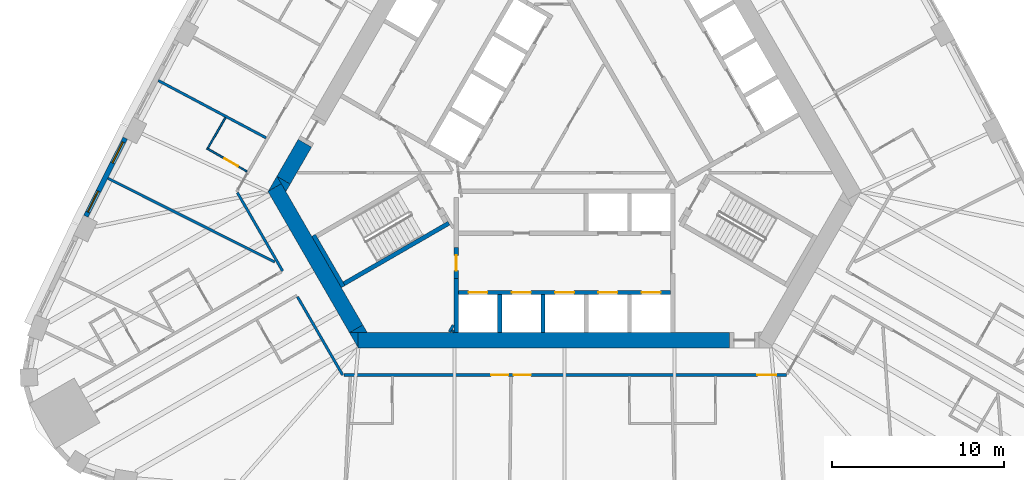
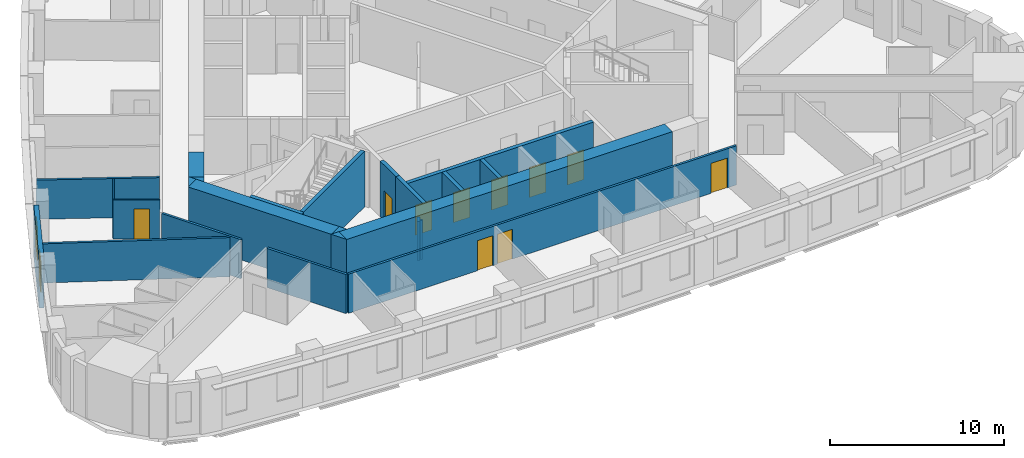
# One storey, part 4 of 12: 24 walls, 10 doors, 2 windows, 12 openings.
"""IFC4 building model written with IfcOpenShell, lengths in metres."""

from ifc_helpers import new_model, si_unit, direction, frame, frame_2d, origin, place, context, subcontext, project, spatial, polyline, rectangle, outline, extrude, material, layer, layer_set, type_object, element, fill, save


model = new_model("IFC4")

# Units and contexts
model_context = context("Model", 3, precision=1e-05, world=origin(), true_north=direction((0.0, 1.0)))
body_context = subcontext(model_context, "Body", "Model", "MODEL_VIEW")
ifc_project = project(units=[si_unit("LENGTHUNIT", "METRE"), si_unit("AREAUNIT", "SQUARE_METRE"), si_unit("VOLUMEUNIT", "CUBIC_METRE"), si_unit("PLANEANGLEUNIT", "RADIAN"), si_unit("MASSUNIT", "GRAM", prefix="KILO")], contexts=[model_context])

# Site, building, storey
site_placement = place(None, origin())
site = spatial("IfcSite", under=ifc_project, at=site_placement, CompositionType="ELEMENT")
building_placement = place(site_placement, origin())
building = spatial("IfcBuilding", under=site, at=building_placement, Name="Mestral Congress Tower", CompositionType="ELEMENT")
storey_placement = place(building_placement, frame((0.0, 0.0, 126.60009765625)))
storey = spatial("IfcBuildingStorey", under=building, at=storey_placement, Name="L30", CompositionType="ELEMENT", Elevation=126.60009765625)

# Walls
ifc_material_1 = material(Name="Fire-rated board partition")
ifc_layer_1 = layer(ifc_material_1, 0.14990234375)
ifc_layer_set_1 = layer_set([ifc_layer_1], Name="Fire-rated board partition")
wall_type_1 = type_object("IfcWallType", Name="Core partition 150", PredefinedType="PARTITIONING", material=ifc_layer_set_1)
wall_1_placement = place(storey_placement, frame((-6.707763671875, -12.068115234375, 0.0), z_axis=(0.0, 0.0, 1.0), x_axis=(0.500000789788, 0.8660249478, 0.0)))
element("IfcWall", 1, at=wall_1_placement, inside=storey, type_object=wall_type_1, Name="L30 core wall", PredefinedType="PARTITIONING", context=body_context, shape_type="SweptSolid", body=[
    extrude(rectangle(XDim=0.45556640625, YDim=0.14990234375, at=frame_2d((0.227783203125, 0.0))), origin(), (0.0, 0.0, 1.0), 2.75),
])
wall_2_placement = place(storey_placement, frame((-6.534423828125, -12.068115234375, 0.0), z_axis=(0.0, 0.0, 1.0), x_axis=(0.500240224089, 0.865886665912, 0.0)))
element("IfcWall", 2, at=wall_2_placement, inside=storey, type_object=wall_type_1, Name="L30 core wall", PredefinedType="PARTITIONING", context=body_context, shape_type="SweptSolid", body=[
    extrude(rectangle(XDim=0.10888671875, YDim=0.14990234375, at=frame_2d((0.054443359375, 0.0))), origin(), (0.0, 0.0, 1.0), 2.75),
])
ifc_material_2 = material(Name="Concrete C60/75", Category="concrete")
ifc_layer_2 = layer(ifc_material_2, 0.89990234375)
ifc_layer_set_2 = layer_set([ifc_layer_2], Name="Concrete C60/75")
wall_type_2 = type_object("IfcWallType", Name="Core wall RC 900", PredefinedType="SOLIDWALL", material=ifc_layer_set_2)
wall_3_placement = place(storey_placement, frame((-12.0185546875, -12.550048828125, 0.0), z_axis=(0.0, 0.0, 1.0), x_axis=(1.0, 0.0, 0.0)))
element("IfcWall", 3, at=wall_3_placement, inside=storey, type_object=wall_type_2, Name="L30 core wall", PredefinedType="SOLIDWALL", context=body_context, shape_type="SweptSolid", body=[
    extrude(rectangle(XDim=21.63037109375, YDim=0.89990234375, at=frame_2d((10.815185546875, 0.0))), origin(), (0.0, 0.0, 1.0), 3.89990234375),
])
placement = place(storey_placement, origin())
element("IfcWall", 4, at=placement, inside=storey, type_object=wall_type_2, Name="L30 core wall", PredefinedType="SOLIDWALL", context=body_context, shape_type="SweptSolid", body=[
    extrude(outline(polyline([(-12.528564453125, -12.10009765625), (-12.0205078125, -12.10009765625), (-12.0205078125, -12.97998046875), (-12.528564453125, -12.10009765625)])), origin(), (0.0, 0.0, 1.0), 3.89990234375),
])
wall_5_placement = place(storey_placement, frame((-12.134033203125, -11.88330078125, 0.0), z_axis=(0.0, 0.0, 1.0), x_axis=(-0.500005339912, 0.866022320763, 0.0)))
element("IfcWall", 5, at=wall_5_placement, inside=storey, type_object=wall_type_2, Name="L30 core wall", PredefinedType="SOLIDWALL", context=body_context, shape_type="SweptSolid", body=[
    extrude(rectangle(XDim=9.48779296875, YDim=0.89990234375, at=frame_2d((4.743896484375, 0.0))), origin(), (0.0, 0.0, 1.0), 3.89990234375),
])
element("IfcWall", 6, at=placement, inside=storey, type_object=wall_type_2, Name="L30 core wall", PredefinedType="SOLIDWALL", context=body_context, shape_type="SweptSolid", body=[
    extrude(outline(polyline([(-16.4892578125, -3.43994140625), (-17.251220703125, -3.8798828125), (-16.7431640625, -3.0), (-16.4892578125, -3.43994140625)])), origin(), (0.0, 0.0, 1.0), 3.89990234375),
])
element("IfcWall", 7, at=placement, inside=storey, type_object=wall_type_2, Name="L30 core wall", PredefinedType="SOLIDWALL", context=body_context, shape_type="SweptSolid", body=[
    extrude(outline(polyline([(-11.4892578125, -12.10009765625), (-12.50537109375, -12.10009765625), (-11.743408203125, -11.66015625), (-11.4892578125, -12.10009765625)])), origin(), (0.0, 0.0, 1.0), 3.89990234375),
])
wall_8_placement = place(storey_placement, frame((-15.117919921875, -1.085205078125, 0.0), z_axis=(0.0, 0.0, 1.0), x_axis=(-0.50006606081, -0.865987260198, 0.0)))
element("IfcWall", 8, at=wall_8_placement, inside=storey, type_object=wall_type_2, Name="L30 core wall", PredefinedType="SOLIDWALL", context=body_context, shape_type="SweptSolid", body=[
    extrude(rectangle(XDim=2.480712890625, YDim=0.89990234375, at=frame_2d((1.240234375, 0.0))), origin(), (0.0, 0.0, 1.0), 3.89990234375),
])
element("IfcWall", 9, at=placement, inside=storey, type_object=wall_type_2, Name="L30 core wall", PredefinedType="SOLIDWALL", context=body_context, shape_type="SweptSolid", body=[
    extrude(outline(polyline([(-16.223388671875, -3.89990234375), (-16.731689453125, -3.02001953125), (-15.969482421875, -3.460205078125), (-16.223388671875, -3.89990234375)])), origin(), (0.0, 0.0, 1.0), 3.89990234375),
])

# Wall, openings, windows
ifc_material_3 = material(Name="Precast concrete C40/50 with limestone facing", Category="masonry")
ifc_layer_3 = layer(ifc_material_3, 0.2900390625)
ifc_layer_set_3 = layer_set([ifc_layer_3], Name="Precast concrete C40/50 with limestone facing")
wall_type_3 = type_object("IfcWallType", Name="Facade stone wall 290", PredefinedType="SOLIDWALL", material=ifc_layer_set_3)
wall_10_placement = place(storey_placement, frame((-25.576416015625, -0.77783203125, 0.0), z_axis=(0.0, 0.0, 1.0), x_axis=(-0.448534297211, -0.893765620409, 0.0)))
wall_10 = element("IfcWall", 10, at=wall_10_placement, inside=storey, type_object=wall_type_3, Name="Facade wall F2-06", PredefinedType="SOLIDWALL", context=body_context, shape_type="SweptSolid", body=[
    extrude(rectangle(XDim=5.10009765625, YDim=0.2900390625, at=frame_2d((2.550048828125, 0.0))), origin(), (0.0, 0.0, 1.0), 3.64990234375),
])
opening_1_placement = place(wall_10_placement, frame((0.2724609375, 0.0, 0.89990234375)))
opening_1 = element("IfcOpeningElement", 11, at=opening_1_placement, cuts=wall_10, Name="Opening W2", PredefinedType="OPENING", context=body_context, shape_type="SweptSolid", body=[
    extrude(rectangle(XDim=1.35009765625, YDim=2.14990234375, at=frame_2d((0.675048828125, 1.074951171875))), frame((0.0, 0.155029296875, 0.0), z_axis=(0.0, -1.0, 0.0), x_axis=(1.0, 0.0, 0.0)), (0.0, 0.0, 1.0), 0.31005859375),
])
opening_2_placement = place(wall_10_placement, frame((3.477783203125, 0.0, 0.89990234375)))
opening_2 = element("IfcOpeningElement", 12, at=opening_2_placement, cuts=wall_10, Name="Opening W2", PredefinedType="OPENING", context=body_context, shape_type="SweptSolid", body=[
    extrude(rectangle(XDim=1.35009765625, YDim=2.14990234375, at=frame_2d((0.675048828125, 1.074951171875))), frame((0.0, 0.155029296875, 0.0), z_axis=(0.0, -1.0, 0.0), x_axis=(1.0, 0.0, 0.0)), (0.0, 0.0, 1.0), 0.31005859375),
])
ifc_material_4 = material(Name="Clear low-emissivity double glazing", Category="glass")
window_type = type_object("IfcWindowType", Name="Facade punched window 1350 x 2150 sill 900", PartitioningType="DOUBLE_PANEL_VERTICAL", PredefinedType="WINDOW", material=ifc_material_4)
window_1_placement = place(opening_1_placement, origin())
window_1 = element("IfcWindow", 13, at=window_1_placement, inside=storey, type_object=window_type, Name="Window F2-06a", OverallHeight=2.14990234375, OverallWidth=1.35009765625, PartitioningType="DOUBLE_PANEL_VERTICAL", PredefinedType="WINDOW", context=body_context, shape_type="SweptSolid", body=[
    extrude(rectangle(XDim=1.35009765625, YDim=2.14990234375, at=frame_2d((0.675048828125, 1.074951171875))), frame((0.0, 0.01513671875, 0.0), z_axis=(0.0, -1.0, 0.0), x_axis=(1.0, 0.0, 0.0)), (0.0, 0.0, 1.0), 0.06005859375),
])
fill(opening_1, window_1)
window_2_placement = place(opening_2_placement, origin())
window_2 = element("IfcWindow", 14, at=window_2_placement, inside=storey, type_object=window_type, Name="Window F2-06b", OverallHeight=2.14990234375, OverallWidth=1.35009765625, PartitioningType="DOUBLE_PANEL_VERTICAL", PredefinedType="WINDOW", context=body_context, shape_type="SweptSolid", body=[
    extrude(rectangle(XDim=1.35009765625, YDim=2.14990234375, at=frame_2d((0.675048828125, 1.074951171875))), frame((0.0, 0.01513671875, 0.0), z_axis=(0.0, -1.0, 0.0), x_axis=(1.0, 0.0, 0.0)), (0.0, 0.0, 1.0), 0.06005859375),
])
fill(opening_2, window_2)

# Wall, opening, door
ifc_material_5 = material(Name="Gypsum board partition on metal studs with mineral wool", Category="composite")
ifc_layer_4 = layer(ifc_material_5, 0.10009765625)
ifc_layer_set_4 = layer_set([ifc_layer_4], Name="Gypsum board partition on metal studs with mineral wool")
wall_type_4 = type_object("IfcWallType", Name="Hotel partition wall 100", PredefinedType="PARTITIONING", material=ifc_layer_set_4)
wall_11_placement = place(storey_placement, frame((-20.8291015625, -1.377197265625, 0.0), z_axis=(0.0, 0.0, 1.0), x_axis=(0.866036505625, -0.499980770555, 0.0)))
wall_11 = element("IfcWall", 15, at=wall_11_placement, inside=storey, type_object=wall_type_4, Name="L30-h-pod18a", PredefinedType="PARTITIONING", context=body_context, shape_type="SweptSolid", body=[
    extrude(rectangle(XDim=2.69970703125, YDim=0.10009765625, at=frame_2d((1.349853515625, 0.0))), origin(), (0.0, 0.0, 1.0), 2.75),
])
opening_3_placement = place(wall_11_placement, frame((1.199951171875, 0.0, 0.0)))
opening_3 = element("IfcOpeningElement", 16, at=opening_3_placement, cuts=wall_11, Name="Opening H09-034", PredefinedType="OPENING", context=body_context, shape_type="SweptSolid", body=[
    extrude(rectangle(XDim=0.89990234375, YDim=2.10009765625, at=frame_2d((0.449951171875, 1.050048828125))), frame((0.0, 0.06005859375, 0.0), z_axis=(0.0, -1.0, 0.0), x_axis=(1.0, 0.0, 0.0)), (0.0, 0.0, 1.0), 0.1201171875),
])
ifc_material_6 = material(Name="Timber veneer door leaf in timber frame", Category="wood")
door_type_1 = type_object("IfcDoorType", Name="Bathroom door 900", OperationType="SINGLE_SWING_LEFT", PredefinedType="DOOR", material=ifc_material_6)
door_1_placement = place(opening_3_placement, origin())
door_1 = element("IfcDoor", 17, at=door_1_placement, inside=storey, type_object=door_type_1, Name="L30-h-d034", OperationType="SINGLE_SWING_RIGHT", OverallHeight=2.10009765625, OverallWidth=0.89990234375, PredefinedType="DOOR", context=body_context, shape_type="SweptSolid", body=[
    extrude(rectangle(XDim=0.89990234375, YDim=2.10009765625, at=frame_2d((0.449951171875, 1.050048828125))), frame((0.0, 0.02490234375, 0.0), z_axis=(0.0, -1.0, 0.0), x_axis=(1.0, 0.0, 0.0)), (0.0, 0.0, 1.0), 0.050048828125),
])
fill(opening_3, door_1)

# Walls
wall_12_placement = place(storey_placement, frame((-20.7607421875, -1.35888671875, 0.0), z_axis=(0.0, 0.0, 1.0), x_axis=(0.499954962928, 0.866051404389, 0.0)))
element("IfcWall", 18, at=wall_12_placement, inside=storey, type_object=wall_type_4, Name="L30-h-pod18b", PredefinedType="PARTITIONING", context=body_context, shape_type="SweptSolid", body=[
    extrude(rectangle(XDim=2.030029296875, YDim=0.10009765625, at=frame_2d((1.01513671875, 0.0))), origin(), (0.0, 0.0, 1.0), 2.75),
])
ifc_layer_5 = layer(ifc_material_5, 0.14990234375)
ifc_layer_set_5 = layer_set([ifc_layer_5], Name="Gypsum board partition on metal studs with mineral wool")
wall_type_5 = type_object("IfcWallType", Name="Hotel partition wall 150", PredefinedType="PARTITIONING", material=ifc_layer_set_5)
wall_13_placement = place(storey_placement, frame((-16.412353515625, -8.52294921875, 0.0), z_axis=(0.0, 0.0, 1.0), x_axis=(-0.500001929737, 0.866024289647, 0.0)))
element("IfcWall", 19, at=wall_13_placement, inside=storey, type_object=wall_type_5, Name="L30-h-cw09", PredefinedType="PARTITIONING", context=body_context, shape_type="SweptSolid", body=[
    extrude(rectangle(XDim=5.26806640625, YDim=0.14990234375, at=frame_2d((2.634033203125, 0.0))), origin(), (0.0, 0.0, 1.0), 2.75),
])
wall_14_placement = place(storey_placement, frame((-12.918212890625, -14.574951171875, 0.0), z_axis=(0.0, 0.0, 1.0), x_axis=(-0.500009150678, 0.866020120573, 0.0)))
element("IfcWall", 20, at=wall_14_placement, inside=storey, type_object=wall_type_5, Name="L30-h-cw12", PredefinedType="PARTITIONING", context=body_context, shape_type="SweptSolid", body=[
    extrude(rectangle(XDim=5.25830078125, YDim=0.14990234375, at=frame_2d((2.629150390625, 0.0))), origin(), (0.0, 0.0, 1.0), 2.75),
])

# Wall, openings, doors
wall_15_placement = place(storey_placement, frame((12.918212890625, -14.574951171875, 0.0), z_axis=(0.0, 0.0, 1.0), x_axis=(-1.0, 0.0, 0.0)))
wall_15 = element("IfcWall", 21, at=wall_15_placement, inside=storey, type_object=wall_type_5, Name="L30-h-cw13", PredefinedType="PARTITIONING", context=body_context, shape_type="SweptSolid", body=[
    extrude(rectangle(XDim=25.766357421875, YDim=0.14990234375, at=frame_2d((12.88330078125, 0.0))), origin(), (0.0, 0.0, 1.0), 2.75),
])
opening_4_placement = place(wall_15_placement, frame((16.18896484375, 0.0, 0.0)))
opening_4 = element("IfcOpeningElement", 22, at=opening_4_placement, cuts=wall_15, Name="Opening H09-003", PredefinedType="OPENING", context=body_context, shape_type="SweptSolid", body=[
    extrude(rectangle(XDim=1.0, YDim=2.10009765625, at=frame_2d((0.5, 1.050048828125))), frame((0.0, 0.0849609375, 0.0), z_axis=(0.0, -1.0, 0.0), x_axis=(1.0, 0.0, 0.0)), (0.0, 0.0, 1.0), 0.169921875),
])
opening_5_placement = place(wall_15_placement, frame((14.881591796875, 0.0, 0.0)))
opening_5 = element("IfcOpeningElement", 23, at=opening_5_placement, cuts=wall_15, Name="Opening H09-005", PredefinedType="OPENING", context=body_context, shape_type="SweptSolid", body=[
    extrude(rectangle(XDim=1.0, YDim=2.10009765625, at=frame_2d((0.5, 1.050048828125))), frame((0.0, 0.0849609375, 0.0), z_axis=(0.0, -1.0, 0.0), x_axis=(1.0, 0.0, 0.0)), (0.0, 0.0, 1.0), 0.169921875),
])
opening_6_placement = place(wall_15_placement, frame((0.595947265625, 0.0, 0.0)))
opening_6 = element("IfcOpeningElement", 24, at=opening_6_placement, cuts=wall_15, Name="Opening H09-007", PredefinedType="OPENING", context=body_context, shape_type="SweptSolid", body=[
    extrude(rectangle(XDim=1.10009765625, YDim=2.10009765625, at=frame_2d((0.550048828125, 1.050048828125))), frame((0.0, 0.0849609375, 0.0), z_axis=(0.0, -1.0, 0.0), x_axis=(1.0, 0.0, 0.0)), (0.0, 0.0, 1.0), 0.169921875),
])
ifc_material_7 = material(Name="Timber veneer door leaf in metal frame", Category="wood")
door_type_2 = type_object("IfcDoorType", Name="Accessible room entrance door 1100", OperationType="SINGLE_SWING_LEFT", PredefinedType="DOOR", material=ifc_material_7)
door_2_placement = place(opening_6_placement, origin())
door_2 = element("IfcDoor", 25, at=door_2_placement, inside=storey, type_object=door_type_2, Name="L30-h-d007", OperationType="SINGLE_SWING_LEFT", OverallHeight=2.10009765625, OverallWidth=1.10009765625, PredefinedType="DOOR", context=body_context, shape_type="SweptSolid", body=[
    extrude(rectangle(XDim=1.10009765625, YDim=2.10009765625, at=frame_2d((0.550048828125, 1.050048828125))), frame((0.0, 0.02490234375, 0.0), z_axis=(0.0, -1.0, 0.0), x_axis=(1.0, 0.0, 0.0)), (0.0, 0.0, 1.0), 0.050048828125),
])
fill(opening_6, door_2)
door_type_3 = type_object("IfcDoorType", Name="Guest room entrance door 1000", OperationType="SINGLE_SWING_LEFT", PredefinedType="DOOR", material=ifc_material_7)
door_3_placement = place(opening_4_placement, origin())
door_3 = element("IfcDoor", 26, at=door_3_placement, inside=storey, type_object=door_type_3, Name="L30-h-d003", OperationType="SINGLE_SWING_LEFT", OverallHeight=2.10009765625, OverallWidth=1.0, PredefinedType="DOOR", context=body_context, shape_type="SweptSolid", body=[
    extrude(rectangle(XDim=1.0, YDim=2.10009765625, at=frame_2d((0.5, 1.050048828125))), frame((0.0, 0.02490234375, 0.0), z_axis=(0.0, -1.0, 0.0), x_axis=(1.0, 0.0, 0.0)), (0.0, 0.0, 1.0), 0.050048828125),
])
fill(opening_4, door_3)
door_4_placement = place(opening_5_placement, origin())
door_4 = element("IfcDoor", 27, at=door_4_placement, inside=storey, type_object=door_type_3, Name="L30-h-d005", OperationType="SINGLE_SWING_RIGHT", OverallHeight=2.10009765625, OverallWidth=1.0, PredefinedType="DOOR", context=body_context, shape_type="SweptSolid", body=[
    extrude(rectangle(XDim=1.0, YDim=2.10009765625, at=frame_2d((0.5, 1.050048828125))), frame((0.0, 0.02490234375, 0.0), z_axis=(0.0, -1.0, 0.0), x_axis=(1.0, 0.0, 0.0)), (0.0, 0.0, 1.0), 0.050048828125),
])
fill(opening_5, door_4)

# Walls
wall_16_placement = place(storey_placement, frame((-23.65185546875, 2.56689453125, 0.0), z_axis=(0.0, 0.0, 1.0), x_axis=(0.883019237957, -0.469336793144, 0.0)))
element("IfcWall", 28, at=wall_16_placement, inside=storey, type_object=wall_type_5, Name="L30-h-pw03", PredefinedType="PARTITIONING", context=body_context, shape_type="SweptSolid", body=[
    extrude(rectangle(XDim=7.11083984375, YDim=0.14990234375, at=frame_2d((3.555419921875, 0.0))), origin(), (0.0, 0.0, 1.0), 2.75),
])
wall_17_placement = place(storey_placement, frame((-26.590576171875, -3.1220703125, 0.0), z_axis=(0.0, 0.0, 1.0), x_axis=(0.893766213273, -0.448533115847, 0.0)))
element("IfcWall", 29, at=wall_17_placement, inside=storey, type_object=wall_type_5, Name="L30-h-pw04", PredefinedType="PARTITIONING", context=body_context, shape_type="SweptSolid", body=[
    extrude(rectangle(XDim=10.875244140625, YDim=0.14990234375, at=frame_2d((5.4375, 0.0))), origin(), (0.0, 0.0, 1.0), 2.75),
])
ifc_layer_6 = layer(ifc_material_2, 0.25)
ifc_layer_set_6 = layer_set([ifc_layer_6], Name="Concrete C60/75")
wall_type_6 = type_object("IfcWallType", Name="Shaft wall RC 250", PredefinedType="SOLIDWALL", material=ifc_layer_set_6)
wall_18_placement = place(storey_placement, frame((-3.780029296875, -12.10009765625, 0.0), z_axis=(0.0, 0.0, 1.0), x_axis=(0.0, 1.0, 0.0)))
element("IfcWall", 30, at=wall_18_placement, inside=storey, type_object=wall_type_6, Name="L30 core wall", PredefinedType="SOLIDWALL", context=body_context, shape_type="SweptSolid", body=[
    extrude(rectangle(XDim=2.199951171875, YDim=0.25, at=frame_2d((1.10009765625, 0.0))), origin(), (0.0, 0.0, 1.0), 3.89990234375),
])
wall_19_placement = place(storey_placement, frame((-6.300048828125, -12.10009765625, 0.0), z_axis=(0.0, 0.0, 1.0), x_axis=(0.0, 1.0, 0.0)))
element("IfcWall", 31, at=wall_19_placement, inside=storey, type_object=wall_type_6, Name="L30 core wall", PredefinedType="SOLIDWALL", context=body_context, shape_type="SweptSolid", body=[
    extrude(rectangle(XDim=3.1455078125, YDim=0.25, at=frame_2d((1.57275390625, 0.0))), origin(), (0.0, 0.0, 1.0), 3.89990234375),
])
wall_20_placement = place(storey_placement, frame((-1.260009765625, -12.10009765625, 0.0), z_axis=(0.0, 0.0, 1.0), x_axis=(0.0, 1.0, 0.0)))
element("IfcWall", 32, at=wall_20_placement, inside=storey, type_object=wall_type_6, Name="L30 core wall", PredefinedType="SOLIDWALL", context=body_context, shape_type="SweptSolid", body=[
    extrude(rectangle(XDim=2.199951171875, YDim=0.25, at=frame_2d((1.10009765625, 0.0))), origin(), (0.0, 0.0, 1.0), 3.89990234375),
])

# Wall, openings, doors
wall_21_placement = place(storey_placement, frame((-6.175048828125, -9.77490234375, 0.0), z_axis=(0.0, 0.0, 1.0), x_axis=(1.0, 0.0, 0.0)))
wall_21 = element("IfcWall", 33, at=wall_21_placement, inside=storey, type_object=wall_type_6, Name="L30 door wall", PredefinedType="SOLIDWALL", context=body_context, shape_type="SweptSolid", body=[
    extrude(rectangle(XDim=12.35009765625, YDim=0.25, at=frame_2d((6.175048828125, 0.0))), origin(), (0.0, 0.0, 1.0), 3.89990234375),
])
opening_7_placement = place(wall_21_placement, frame((0.5849609375, 0.0, 0.0)))
opening_7 = element("IfcOpeningElement", 34, at=opening_7_placement, cuts=wall_21, Name="Opening LD-SOA1", PredefinedType="OPENING", context=body_context, shape_type="SweptSolid", body=[
    extrude(rectangle(XDim=1.10009765625, YDim=2.10009765625, at=frame_2d((0.550048828125, 1.050048828125))), frame((0.0, 0.135009765625, 0.0), z_axis=(0.0, -1.0, 0.0), x_axis=(1.0, 0.0, 0.0)), (0.0, 0.0, 1.0), 0.27001953125),
])
opening_8_placement = place(wall_21_placement, frame((3.10498046875, 0.0, 0.0)))
opening_8 = element("IfcOpeningElement", 35, at=opening_8_placement, cuts=wall_21, Name="Opening LD-SOA2", PredefinedType="OPENING", context=body_context, shape_type="SweptSolid", body=[
    extrude(rectangle(XDim=1.10009765625, YDim=2.10009765625, at=frame_2d((0.550048828125, 1.050048828125))), frame((0.0, 0.135009765625, 0.0), z_axis=(0.0, -1.0, 0.0), x_axis=(1.0, 0.0, 0.0)), (0.0, 0.0, 1.0), 0.27001953125),
])
opening_9_placement = place(wall_21_placement, frame((5.625, 0.0, 0.0)))
opening_9 = element("IfcOpeningElement", 36, at=opening_9_placement, cuts=wall_21, Name="Opening LD-SOA3", PredefinedType="OPENING", context=body_context, shape_type="SweptSolid", body=[
    extrude(rectangle(XDim=1.10009765625, YDim=2.10009765625, at=frame_2d((0.550048828125, 1.050048828125))), frame((0.0, 0.135009765625, 0.0), z_axis=(0.0, -1.0, 0.0), x_axis=(1.0, 0.0, 0.0)), (0.0, 0.0, 1.0), 0.27001953125),
])
opening_10_placement = place(wall_21_placement, frame((8.14501953125, 0.0, 0.0)))
opening_10 = element("IfcOpeningElement", 37, at=opening_10_placement, cuts=wall_21, Name="Opening LD-SOA4", PredefinedType="OPENING", context=body_context, shape_type="SweptSolid", body=[
    extrude(rectangle(XDim=1.10009765625, YDim=2.10009765625, at=frame_2d((0.550048828125, 1.050048828125))), frame((0.0, 0.135009765625, 0.0), z_axis=(0.0, -1.0, 0.0), x_axis=(1.0, 0.0, 0.0)), (0.0, 0.0, 1.0), 0.27001953125),
])
opening_11_placement = place(wall_21_placement, frame((10.6650390625, 0.0, 0.0)))
opening_11 = element("IfcOpeningElement", 38, at=opening_11_placement, cuts=wall_21, Name="Opening LD-SOA5", PredefinedType="OPENING", context=body_context, shape_type="SweptSolid", body=[
    extrude(rectangle(XDim=1.10009765625, YDim=2.10009765625, at=frame_2d((0.550048828125, 1.050048828125))), frame((0.0, 0.135009765625, 0.0), z_axis=(0.0, -1.0, 0.0), x_axis=(1.0, 0.0, 0.0)), (0.0, 0.0, 1.0), 0.27001953125),
])
ifc_material_8 = material(Name="Fire-rated steel door set", Category="steel")
door_type_4 = type_object("IfcDoorType", Name="Core door LD 1100x2100", OperationType="DOUBLE_DOOR_SLIDING", PredefinedType="DOOR", material=ifc_material_8)
door_5_placement = place(opening_7_placement, origin())
door_5 = element("IfcDoor", 39, at=door_5_placement, inside=storey, type_object=door_type_4, Name="Door LD-SOA1", OperationType="DOUBLE_DOOR_SLIDING", OverallHeight=2.10009765625, OverallWidth=1.10009765625, PredefinedType="DOOR", context=body_context, shape_type="SweptSolid", body=[
    extrude(rectangle(XDim=1.10009765625, YDim=2.10009765625, at=frame_2d((0.550048828125, 1.050048828125))), frame((0.0, 0.02490234375, 0.0), z_axis=(0.0, -1.0, 0.0), x_axis=(1.0, 0.0, 0.0)), (0.0, 0.0, 1.0), 0.050048828125),
])
fill(opening_7, door_5)
door_6_placement = place(opening_8_placement, origin())
door_6 = element("IfcDoor", 40, at=door_6_placement, inside=storey, type_object=door_type_4, Name="Door LD-SOA2", OperationType="DOUBLE_DOOR_SLIDING", OverallHeight=2.10009765625, OverallWidth=1.10009765625, PredefinedType="DOOR", context=body_context, shape_type="SweptSolid", body=[
    extrude(rectangle(XDim=1.10009765625, YDim=2.10009765625, at=frame_2d((0.550048828125, 1.050048828125))), frame((0.0, 0.02490234375, 0.0), z_axis=(0.0, -1.0, 0.0), x_axis=(1.0, 0.0, 0.0)), (0.0, 0.0, 1.0), 0.050048828125),
])
fill(opening_8, door_6)
door_7_placement = place(opening_9_placement, origin())
door_7 = element("IfcDoor", 41, at=door_7_placement, inside=storey, type_object=door_type_4, Name="Door LD-SOA3", OperationType="DOUBLE_DOOR_SLIDING", OverallHeight=2.10009765625, OverallWidth=1.10009765625, PredefinedType="DOOR", context=body_context, shape_type="SweptSolid", body=[
    extrude(rectangle(XDim=1.10009765625, YDim=2.10009765625, at=frame_2d((0.550048828125, 1.050048828125))), frame((0.0, 0.02490234375, 0.0), z_axis=(0.0, -1.0, 0.0), x_axis=(1.0, 0.0, 0.0)), (0.0, 0.0, 1.0), 0.050048828125),
])
fill(opening_9, door_7)
door_8_placement = place(opening_10_placement, origin())
door_8 = element("IfcDoor", 42, at=door_8_placement, inside=storey, type_object=door_type_4, Name="Door LD-SOA4", OperationType="DOUBLE_DOOR_SLIDING", OverallHeight=2.10009765625, OverallWidth=1.10009765625, PredefinedType="DOOR", context=body_context, shape_type="SweptSolid", body=[
    extrude(rectangle(XDim=1.10009765625, YDim=2.10009765625, at=frame_2d((0.550048828125, 1.050048828125))), frame((0.0, 0.02490234375, 0.0), z_axis=(0.0, -1.0, 0.0), x_axis=(1.0, 0.0, 0.0)), (0.0, 0.0, 1.0), 0.050048828125),
])
fill(opening_10, door_8)
door_9_placement = place(opening_11_placement, origin())
door_9 = element("IfcDoor", 43, at=door_9_placement, inside=storey, type_object=door_type_4, Name="Door LD-SOA5", OperationType="DOUBLE_DOOR_SLIDING", OverallHeight=2.10009765625, OverallWidth=1.10009765625, PredefinedType="DOOR", context=body_context, shape_type="SweptSolid", body=[
    extrude(rectangle(XDim=1.10009765625, YDim=2.10009765625, at=frame_2d((0.550048828125, 1.050048828125))), frame((0.0, 0.02490234375, 0.0), z_axis=(0.0, -1.0, 0.0), x_axis=(1.0, 0.0, 0.0)), (0.0, 0.0, 1.0), 0.050048828125),
])
fill(opening_11, door_9)

# Wall, opening, door
wall_22_placement = place(storey_placement, frame((-6.300048828125, -7.154296875, 0.0), z_axis=(0.0, 0.0, 1.0), x_axis=(0.0, -1.0, 0.0)))
wall_22 = element("IfcWall", 44, at=wall_22_placement, inside=storey, type_object=wall_type_6, Name="L30 door wall", PredefinedType="SOLIDWALL", context=body_context, shape_type="SweptSolid", body=[
    extrude(rectangle(XDim=1.800048828125, YDim=0.25, at=frame_2d((0.89990234375, 0.0))), origin(), (0.0, 0.0, 1.0), 3.89990234375),
])
opening_12_placement = place(wall_22_placement, frame((0.449951171875, 0.0, 0.0)))
opening_12 = element("IfcOpeningElement", 45, at=opening_12_placement, cuts=wall_22, Name="Opening TD3", PredefinedType="OPENING", context=body_context, shape_type="SweptSolid", body=[
    extrude(rectangle(XDim=0.89990234375, YDim=2.10009765625, at=frame_2d((0.449951171875, 1.050048828125))), frame((0.0, 0.135009765625, 0.0), z_axis=(0.0, -1.0, 0.0), x_axis=(1.0, 0.0, 0.0)), (0.0, 0.0, 1.0), 0.27001953125),
])
door_type_5 = type_object("IfcDoorType", Name="Core door SR 900x2100", OperationType="SINGLE_SWING_LEFT", PredefinedType="DOOR", material=ifc_material_8)
door_10_placement = place(opening_12_placement, origin())
door_10 = element("IfcDoor", 46, at=door_10_placement, inside=storey, type_object=door_type_5, Name="Door TD3", OperationType="SINGLE_SWING_LEFT", OverallHeight=2.10009765625, OverallWidth=0.89990234375, PredefinedType="DOOR", context=body_context, shape_type="SweptSolid", body=[
    extrude(rectangle(XDim=0.89990234375, YDim=2.10009765625, at=frame_2d((0.449951171875, 1.050048828125))), frame((0.0, 0.02490234375, 0.0), z_axis=(0.0, -1.0, 0.0), x_axis=(1.0, 0.0, 0.0)), (0.0, 0.0, 1.0), 0.050048828125),
])
fill(opening_12, door_10)

# Walls
ifc_layer_7 = layer(ifc_material_2, 0.25)
ifc_layer_set_7 = layer_set([ifc_layer_7], Name="Concrete C60/75")
wall_type_7 = type_object("IfcWallType", Name="Stair wall RC 250", PredefinedType="SOLIDWALL", material=ifc_layer_set_7)
wall_23_placement = place(storey_placement, frame((-12.885498046875, -9.431396484375, 0.0), z_axis=(0.0, 0.0, 1.0), x_axis=(-0.500020560727, 0.866013532718, 0.0)))
element("IfcWall", 47, at=wall_23_placement, inside=storey, type_object=wall_type_7, Name="L30 core wall", PredefinedType="SOLIDWALL", context=body_context, shape_type="SweptSolid", body=[
    extrude(rectangle(XDim=3.449951171875, YDim=0.25, at=frame_2d((1.72509765625, 0.0))), origin(), (0.0, 0.0, 1.0), 3.89990234375),
])
wall_24_placement = place(storey_placement, frame((-12.83984375, -9.2607421875, 0.0), z_axis=(0.0, 0.0, 1.0), x_axis=(0.866016039709, 0.500016218704, 0.0)))
element("IfcWall", 48, at=wall_24_placement, inside=storey, type_object=wall_type_7, Name="L30 core wall", PredefinedType="SOLIDWALL", context=body_context, shape_type="SweptSolid", body=[
    extrude(rectangle(XDim=7.050048828125, YDim=0.25, at=frame_2d((3.52490234375, 0.0))), origin(), (0.0, 0.0, 1.0), 3.89990234375),
])

save(model, "model.ifc")
